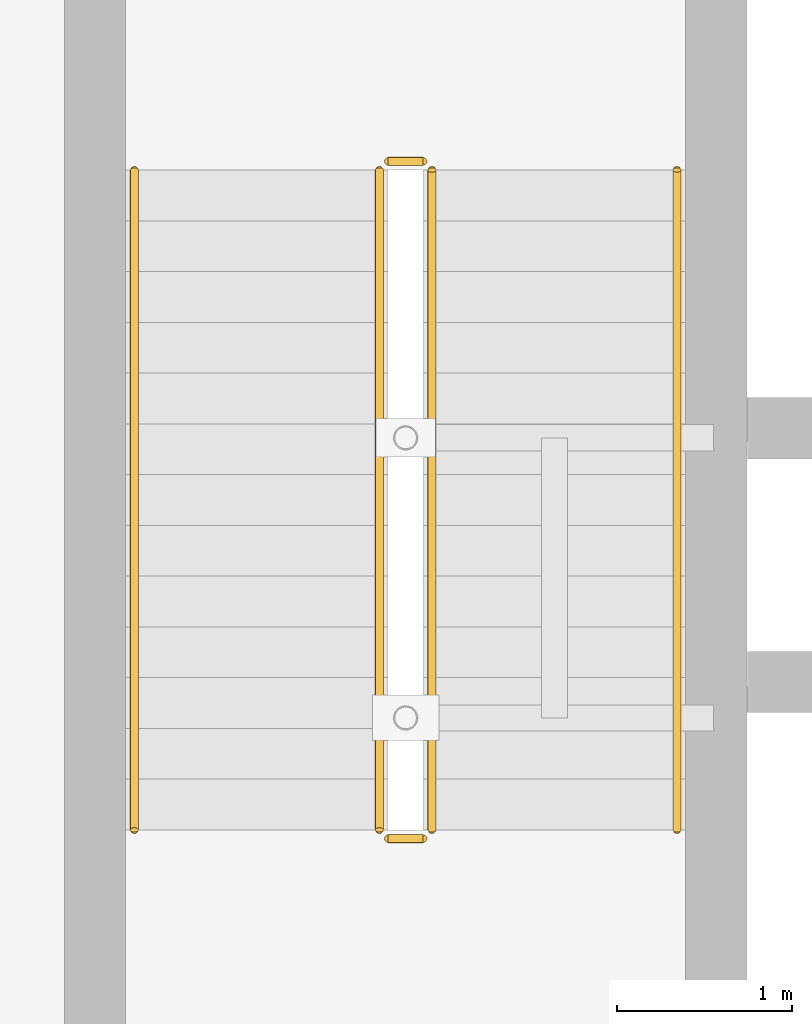
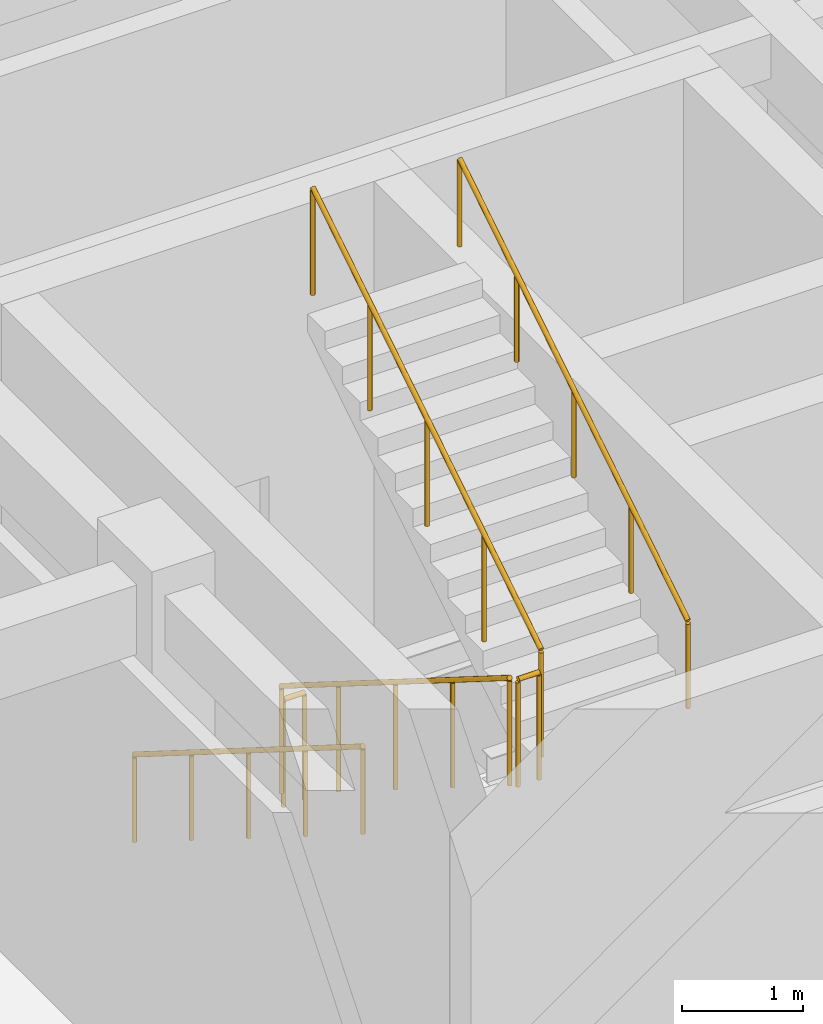
# One storey, part 89 of 93: 6 railings.
"""IFC4 building model written with IfcOpenShell, lengths in metres."""

from ifc_helpers import new_model, si_unit, direction, frame, origin, origin_2d, place, context, subcontext, project, spatial, circle, extrude, material, type_object, element, save


model = new_model("IFC4")

# Units and contexts
model_context = context("Model", 3, precision=1e-05, world=origin(), true_north=direction((0.0, 1.0)))
body_context = subcontext(model_context, "Body", "Model", "MODEL_VIEW")
ifc_project = project(units=[si_unit("LENGTHUNIT", "METRE"), si_unit("AREAUNIT", "SQUARE_METRE"), si_unit("VOLUMEUNIT", "CUBIC_METRE"), si_unit("PLANEANGLEUNIT", "RADIAN"), si_unit("MASSUNIT", "GRAM", prefix="KILO")], contexts=[model_context])

# Site, building, storey
site_placement = place(None, origin())
site = spatial("IfcSite", under=ifc_project, at=site_placement, CompositionType="ELEMENT")
building_placement = place(site_placement, origin())
building = spatial("IfcBuilding", under=site, at=building_placement, Name="Krzemoval Escarpment Law Courts", CompositionType="ELEMENT")
storey_placement = place(building_placement, frame((0.0, 0.0, 10.199951171875)))
storey = spatial("IfcBuildingStorey", under=building, at=storey_placement, Name="L02", CompositionType="ELEMENT", Elevation=10.199951171875)

# Railings
ifc_material_1 = material(Name="Galvanised Steel S355", Category="steel")
railing_type_1 = type_object("IfcRailingType", Name="RL-GRD-1100", PredefinedType="GUARDRAIL", material=ifc_material_1)
railing_1_placement = place(storey_placement, frame((111.75, 29.35009765625, 0.18212890625)))
element("IfcRailing", 1, at=railing_1_placement, inside=storey, type_object=railing_type_1, Name="L02 ST6 stair guard 1", PredefinedType="GUARDRAIL", context=body_context, shape_type="SweptSolid", body=[
    extrude(circle(Radius=0.02392578125, at=origin_2d()), frame((0.0, 0.0, 1.076171875), z_axis=(0.0, -0.846819337722, 0.53188063441), x_axis=(1.0, 0.0, 0.0)), (0.0, 0.0, 1.0), 4.451904296875),
    extrude(circle(Radius=0.02099609375, at=origin_2d()), origin(), (0.0, 0.0, 1.0), 1.052001953125),
    extrude(circle(Radius=0.02099609375, at=origin_2d()), frame((0.0, -0.9423828125, 0.592041015625)), (0.0, 0.0, 1.0), 1.052001953125),
    extrude(circle(Radius=0.02099609375, at=origin_2d()), frame((0.0, -1.885009765625, 1.18408203125)), (0.0, 0.0, 1.0), 1.052001953125),
    extrude(circle(Radius=0.02099609375, at=origin_2d()), frame((0.0, -2.82763671875, 1.77587890625)), (0.0, 0.0, 1.0), 1.052001953125),
    extrude(circle(Radius=0.02099609375, at=origin_2d()), frame((0.0, -3.77001953125, 2.367919921875)), (0.0, 0.0, 1.0), 1.052001953125),
])
railing_2_placement = place(storey_placement, frame((111.800048828125, 25.530029296875, 2.550048828125)))
element("IfcRailing", 2, at=railing_2_placement, inside=storey, type_object=railing_type_1, Name="L02 ST6 stair guard 2", PredefinedType="GUARDRAIL", context=body_context, shape_type="SweptSolid", body=[
    extrude(circle(Radius=0.02392578125, at=origin_2d()), frame((0.0, 0.0, 1.076171875), z_axis=(1.0, 0.0, 0.0), x_axis=(0.0, 1.0, 0.0)), (0.0, 0.0, 1.0), 0.199951171875),
    extrude(circle(Radius=0.02099609375, at=origin_2d()), origin(), (0.0, 0.0, 1.0), 1.052001953125),
    extrude(circle(Radius=0.02099609375, at=origin_2d()), frame((0.199951171875, 0.0, 0.0)), (0.0, 0.0, 1.0), 1.052001953125),
])
railing_3_placement = place(storey_placement, frame((112.050048828125, 25.580078125, 2.732177734375)))
element("IfcRailing", 3, at=railing_3_placement, inside=storey, type_object=railing_type_1, Name="L02 ST6 stair guard 3", PredefinedType="GUARDRAIL", context=body_context, shape_type="SweptSolid", body=[
    extrude(circle(Radius=0.02392578125, at=origin_2d()), frame((0.0, 0.0, 1.076171875), z_axis=(0.0, 0.846819337722, 0.53188063441), x_axis=(-1.0, 0.0, 0.0)), (0.0, 0.0, 1.0), 4.451904296875),
    extrude(circle(Radius=0.02099609375, at=origin_2d()), origin(), (0.0, 0.0, 1.0), 1.052001953125),
    extrude(circle(Radius=0.02099609375, at=origin_2d()), frame((0.0, 0.9423828125, 0.592041015625)), (0.0, 0.0, 1.0), 1.052001953125),
    extrude(circle(Radius=0.02099609375, at=origin_2d()), frame((0.0, 1.885009765625, 1.18408203125)), (0.0, 0.0, 1.0), 1.052001953125),
    extrude(circle(Radius=0.02099609375, at=origin_2d()), frame((0.0, 2.82763671875, 1.77587890625)), (0.0, 0.0, 1.0), 1.052001953125),
    extrude(circle(Radius=0.02099609375, at=origin_2d()), frame((0.0, 3.77001953125, 2.367919921875)), (0.0, 0.0, 1.0), 1.052001953125),
])
railing_4_placement = place(storey_placement, frame((111.800048828125, 29.39990234375, 0.0)))
element("IfcRailing", 4, at=railing_4_placement, inside=storey, type_object=railing_type_1, Name="L02 ST6 stair guard 4", PredefinedType="GUARDRAIL", context=body_context, shape_type="SweptSolid", body=[
    extrude(circle(Radius=0.02392578125, at=origin_2d()), frame((0.0, 0.0, 1.076171875), z_axis=(1.0, 0.0, 0.0), x_axis=(0.0, 1.0, 0.0)), (0.0, 0.0, 1.0), 0.199951171875),
    extrude(circle(Radius=0.02099609375, at=origin_2d()), origin(), (0.0, 0.0, 1.0), 1.052001953125),
    extrude(circle(Radius=0.02099609375, at=origin_2d()), frame((0.199951171875, 0.0, 0.0)), (0.0, 0.0, 1.0), 1.052001953125),
])
ifc_material_2 = material(Name="Brushed Stainless Steel Grade 304 Handrail", Category="steel")
railing_type_2 = type_object("IfcRailingType", Name="RL-HND-900", PredefinedType="HANDRAIL", material=ifc_material_2)
railing_5_placement = place(storey_placement, frame((110.35009765625, 29.35009765625, 0.18212890625)))
element("IfcRailing", 5, at=railing_5_placement, inside=storey, type_object=railing_type_2, Name="L02 ST6 stair handrail 1", PredefinedType="HANDRAIL", context=body_context, shape_type="SweptSolid", body=[
    extrude(circle(Radius=0.02392578125, at=origin_2d()), frame((0.0, 0.0, 0.8759765625), z_axis=(0.0, -0.846819337722, 0.53188063441), x_axis=(1.0, 0.0, 0.0)), (0.0, 0.0, 1.0), 4.451904296875),
    extrude(circle(Radius=0.02099609375, at=origin_2d()), origin(), (0.0, 0.0, 1.0), 0.851806640625),
    extrude(circle(Radius=0.02099609375, at=origin_2d()), frame((0.0, -0.9423828125, 0.592041015625)), (0.0, 0.0, 1.0), 0.851806640625),
    extrude(circle(Radius=0.02099609375, at=origin_2d()), frame((0.0, -1.885009765625, 1.18408203125)), (0.0, 0.0, 1.0), 0.851806640625),
    extrude(circle(Radius=0.02099609375, at=origin_2d()), frame((0.0, -2.82763671875, 1.77587890625)), (0.0, 0.0, 1.0), 0.851806640625),
    extrude(circle(Radius=0.02099609375, at=origin_2d()), frame((0.0, -3.77001953125, 2.367919921875)), (0.0, 0.0, 1.0), 0.851806640625),
])
railing_6_placement = place(storey_placement, frame((113.449951171875, 25.580078125, 2.732177734375)))
element("IfcRailing", 6, at=railing_6_placement, inside=storey, type_object=railing_type_2, Name="L02 ST6 stair handrail 2", PredefinedType="HANDRAIL", context=body_context, shape_type="SweptSolid", body=[
    extrude(circle(Radius=0.02392578125, at=origin_2d()), frame((0.0, 0.0, 0.8759765625), z_axis=(0.0, 0.846819337722, 0.53188063441), x_axis=(-1.0, 0.0, 0.0)), (0.0, 0.0, 1.0), 4.451904296875),
    extrude(circle(Radius=0.02099609375, at=origin_2d()), origin(), (0.0, 0.0, 1.0), 0.851806640625),
    extrude(circle(Radius=0.02099609375, at=origin_2d()), frame((0.0, 0.9423828125, 0.592041015625)), (0.0, 0.0, 1.0), 0.851806640625),
    extrude(circle(Radius=0.02099609375, at=origin_2d()), frame((0.0, 1.885009765625, 1.18408203125)), (0.0, 0.0, 1.0), 0.851806640625),
    extrude(circle(Radius=0.02099609375, at=origin_2d()), frame((0.0, 2.82763671875, 1.77587890625)), (0.0, 0.0, 1.0), 0.851806640625),
    extrude(circle(Radius=0.02099609375, at=origin_2d()), frame((0.0, 3.77001953125, 2.367919921875)), (0.0, 0.0, 1.0), 0.851806640625),
])

save(model, "model.ifc")
